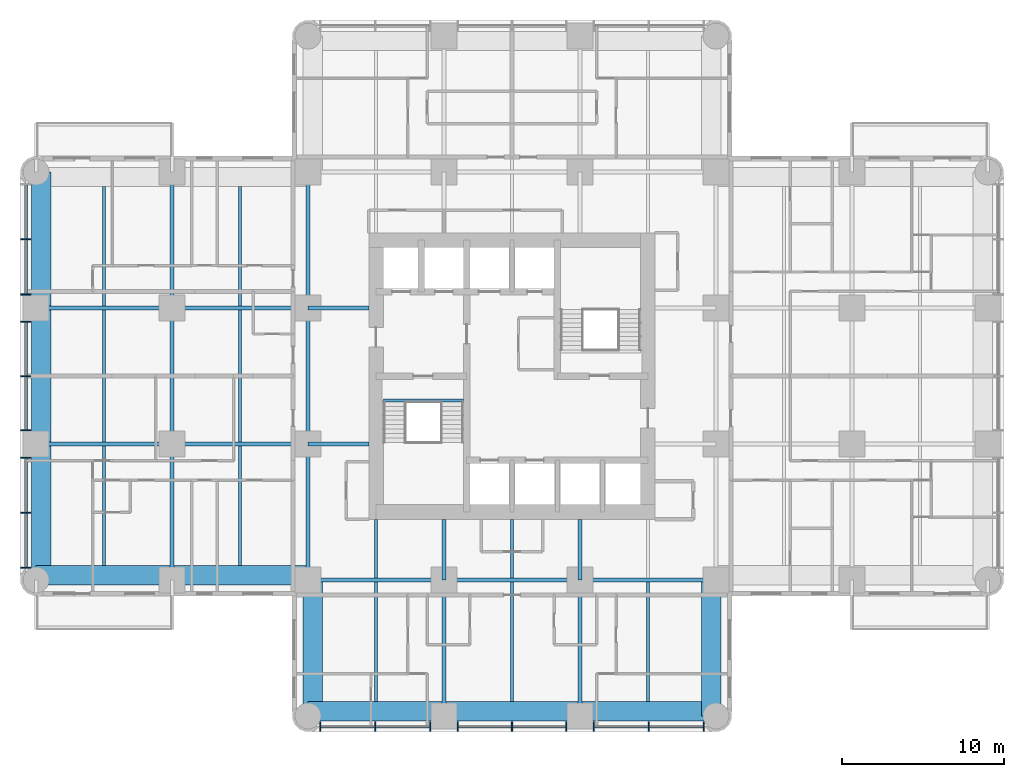
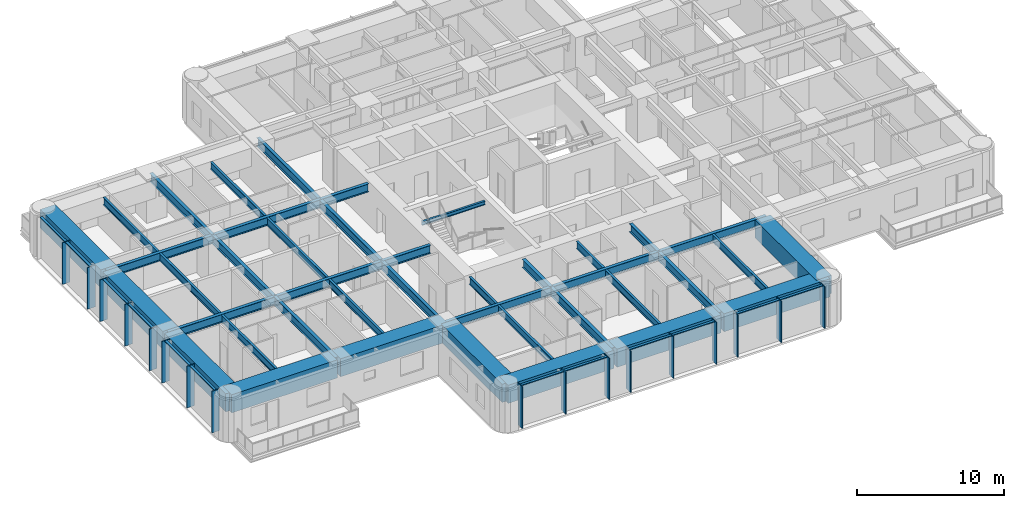
# One storey, part 2 of 15: 41 beams, 29 members, 2 elements without a shape of their own.
"""IFC4 building model written with IfcOpenShell, lengths in metres."""

from ifc_helpers import new_model, si_unit, direction, frame, origin, origin_2d, place, context, subcontext, project, spatial, rectangle, i_section, extrude, material, material_profile, profile_set, type_object, element, aggregate, save


model = new_model("IFC4")

# Units and contexts
model_context = context("Model", 3, precision=1e-05, world=origin(), true_north=direction((0.0, 1.0)))
body_context = subcontext(model_context, "Body", "Model", "MODEL_VIEW")
ifc_project = project(units=[si_unit("LENGTHUNIT", "METRE"), si_unit("AREAUNIT", "SQUARE_METRE"), si_unit("VOLUMEUNIT", "CUBIC_METRE"), si_unit("PLANEANGLEUNIT", "RADIAN"), si_unit("MASSUNIT", "GRAM", prefix="KILO")], contexts=[model_context])

# Site, building, storey
site_placement = place(None, origin())
site = spatial("IfcSite", under=ifc_project, at=site_placement, CompositionType="ELEMENT")
building_placement = place(site_placement, origin())
building = spatial("IfcBuilding", under=site, at=building_placement, Name="Torre Alcanfor", CompositionType="ELEMENT")
storey_placement = place(building_placement, frame((0.0, 0.0, 116.10009765625)))
storey = spatial("IfcBuildingStorey", under=building, at=storey_placement, Name="L29", CompositionType="ELEMENT", Elevation=116.10009765625)

# Curtain wall, members
ifc_material_1 = material(Name="Aluminium and glass", Category="aluminium")
curtain_wall_type = type_object("IfcCurtainWallType", Name="CW-A unitised apartment glazing with vertical FIN", PredefinedType="NOTDEFINED", material=ifc_material_1)
curtain_wall_1_placement = place(storey_placement, origin())
curtain_wall_1 = element("IfcCurtainWall", 1, at=curtain_wall_1_placement, inside=storey, type_object=curtain_wall_type, Name="Curtain wall CW-A L29 2", PredefinedType="NOTDEFINED")
ifc_material_2 = material(Name="Bronze anodised aluminium", Category="aluminium")
ifc_material_profile_1 = material_profile(ifc_material_2, rectangle(XDim=0.60009765625, YDim=0.06494140625, at=origin_2d()), Name="CW-A mullion 65x600")
ifc_profile_set_1 = profile_set([ifc_material_profile_1], Name="Bronze anodised aluminium")
member_type_1 = type_object("IfcMemberType", Name="CW-A mullion with vertical FIN 65x600", PredefinedType="MULLION", material=ifc_profile_set_1)
member_1_placement = place(storey_placement, frame((-0.64990234375, 37.840087890625, 0.0), z_axis=(0.0, 0.0, 1.0), x_axis=(1.0, 0.0, 0.0)))
member_1 = element("IfcMember", 2, at=member_1_placement, type_object=member_type_1, Name="CW-A mullion 1.2", PredefinedType="MULLION", context=body_context, shape_type="SweptSolid", body=[
    extrude(rectangle(XDim=0.60009765625, YDim=0.06494140625, at=origin_2d()), origin(), (0.0, 0.0, 1.0), 3.449951171875),
])
member_2_placement = place(storey_placement, frame((-0.64990234375, 34.4375, 0.0), z_axis=(0.0, 0.0, 1.0), x_axis=(1.0, 0.0, 0.0)))
member_2 = element("IfcMember", 3, at=member_2_placement, type_object=member_type_1, Name="CW-A mullion 1.3", PredefinedType="MULLION", context=body_context, shape_type="SweptSolid", body=[
    extrude(rectangle(XDim=0.60009765625, YDim=0.06494140625, at=origin_2d()), origin(), (0.0, 0.0, 1.0), 3.449951171875),
])
member_3_placement = place(storey_placement, frame((-0.64990234375, 32.762451171875, 0.0), z_axis=(0.0, 0.0, 1.0), x_axis=(1.0, 0.0, 0.0)))
member_3 = element("IfcMember", 4, at=member_3_placement, type_object=member_type_1, Name="CW-A mullion 2.1", PredefinedType="MULLION", context=body_context, shape_type="SweptSolid", body=[
    extrude(rectangle(XDim=0.60009765625, YDim=0.06494140625, at=origin_2d()), origin(), (0.0, 0.0, 1.0), 3.449951171875),
])
member_4_placement = place(storey_placement, frame((-0.64990234375, 29.39990234375, 0.0), z_axis=(0.0, 0.0, 1.0), x_axis=(1.0, 0.0, 0.0)))
member_4 = element("IfcMember", 5, at=member_4_placement, type_object=member_type_1, Name="CW-A mullion 2.2", PredefinedType="MULLION", context=body_context, shape_type="SweptSolid", body=[
    extrude(rectangle(XDim=0.60009765625, YDim=0.06494140625, at=origin_2d()), origin(), (0.0, 0.0, 1.0), 3.449951171875),
])
member_5_placement = place(storey_placement, frame((-0.64990234375, 26.03759765625, 0.0), z_axis=(0.0, 0.0, 1.0), x_axis=(1.0, 0.0, 0.0)))
member_5 = element("IfcMember", 6, at=member_5_placement, type_object=member_type_1, Name="CW-A mullion 2.3", PredefinedType="MULLION", context=body_context, shape_type="SweptSolid", body=[
    extrude(rectangle(XDim=0.60009765625, YDim=0.06494140625, at=origin_2d()), origin(), (0.0, 0.0, 1.0), 3.449951171875),
])
member_6_placement = place(storey_placement, frame((-0.64990234375, 24.362548828125, 0.0), z_axis=(0.0, 0.0, 1.0), x_axis=(1.0, 0.0, 0.0)))
member_6 = element("IfcMember", 7, at=member_6_placement, type_object=member_type_1, Name="CW-A mullion 3.1", PredefinedType="MULLION", context=body_context, shape_type="SweptSolid", body=[
    extrude(rectangle(XDim=0.60009765625, YDim=0.06494140625, at=origin_2d()), origin(), (0.0, 0.0, 1.0), 3.449951171875),
])
member_7_placement = place(storey_placement, frame((-0.64990234375, 20.9599609375, 0.0), z_axis=(0.0, 0.0, 1.0), x_axis=(1.0, 0.0, 0.0)))
member_7 = element("IfcMember", 8, at=member_7_placement, type_object=member_type_1, Name="CW-A mullion 3.2", PredefinedType="MULLION", context=body_context, shape_type="SweptSolid", body=[
    extrude(rectangle(XDim=0.60009765625, YDim=0.06494140625, at=origin_2d()), origin(), (0.0, 0.0, 1.0), 3.449951171875),
])
member_8_placement = place(storey_placement, frame((-0.64990234375, 17.557373046875, 0.0), z_axis=(0.0, 0.0, 1.0), x_axis=(1.0, 0.0, 0.0)))
member_8 = element("IfcMember", 9, at=member_8_placement, type_object=member_type_1, Name="CW-A mullion 3.3", PredefinedType="MULLION", context=body_context, shape_type="SweptSolid", body=[
    extrude(rectangle(XDim=0.60009765625, YDim=0.06494140625, at=origin_2d()), origin(), (0.0, 0.0, 1.0), 3.449951171875),
])

curtain_wall_2_placement = place(storey_placement, origin())
curtain_wall_2 = element("IfcCurtainWall", 10, at=curtain_wall_2_placement, inside=storey, type_object=curtain_wall_type, Name="Curtain wall CW-A L29 5", PredefinedType="NOTDEFINED")
member_9_placement = place(storey_placement, frame((17.557373046875, 7.75, 0.0), z_axis=(0.0, 0.0, 1.0), x_axis=(0.0, 1.0, 0.0)))
member_9 = element("IfcMember", 11, at=member_9_placement, type_object=member_type_1, Name="CW-A mullion 1.1", PredefinedType="MULLION", context=body_context, shape_type="SweptSolid", body=[
    extrude(rectangle(XDim=0.60009765625, YDim=0.06494140625, at=origin_2d()), origin(), (0.0, 0.0, 1.0), 3.449951171875),
])
member_10_placement = place(storey_placement, frame((20.9599609375, 7.75, 0.0), z_axis=(0.0, 0.0, 1.0), x_axis=(0.0, 1.0, 0.0)))
member_10 = element("IfcMember", 12, at=member_10_placement, type_object=member_type_1, Name="CW-A mullion 1.2", PredefinedType="MULLION", context=body_context, shape_type="SweptSolid", body=[
    extrude(rectangle(XDim=0.60009765625, YDim=0.06494140625, at=origin_2d()), origin(), (0.0, 0.0, 1.0), 3.449951171875),
])
member_11_placement = place(storey_placement, frame((24.362548828125, 7.75, 0.0), z_axis=(0.0, 0.0, 1.0), x_axis=(0.0, 1.0, 0.0)))
member_11 = element("IfcMember", 13, at=member_11_placement, type_object=member_type_1, Name="CW-A mullion 1.3", PredefinedType="MULLION", context=body_context, shape_type="SweptSolid", body=[
    extrude(rectangle(XDim=0.60009765625, YDim=0.06494140625, at=origin_2d()), origin(), (0.0, 0.0, 1.0), 3.449951171875),
])
member_12_placement = place(storey_placement, frame((26.03759765625, 7.75, 0.0), z_axis=(0.0, 0.0, 1.0), x_axis=(0.0, 1.0, 0.0)))
member_12 = element("IfcMember", 14, at=member_12_placement, type_object=member_type_1, Name="CW-A mullion 2.1", PredefinedType="MULLION", context=body_context, shape_type="SweptSolid", body=[
    extrude(rectangle(XDim=0.60009765625, YDim=0.06494140625, at=origin_2d()), origin(), (0.0, 0.0, 1.0), 3.449951171875),
])
member_13_placement = place(storey_placement, frame((29.39990234375, 7.75, 0.0), z_axis=(0.0, 0.0, 1.0), x_axis=(0.0, 1.0, 0.0)))
member_13 = element("IfcMember", 15, at=member_13_placement, type_object=member_type_1, Name="CW-A mullion 2.2", PredefinedType="MULLION", context=body_context, shape_type="SweptSolid", body=[
    extrude(rectangle(XDim=0.60009765625, YDim=0.06494140625, at=origin_2d()), origin(), (0.0, 0.0, 1.0), 3.449951171875),
])
member_14_placement = place(storey_placement, frame((32.762451171875, 7.75, 0.0), z_axis=(0.0, 0.0, 1.0), x_axis=(0.0, 1.0, 0.0)))
member_14 = element("IfcMember", 16, at=member_14_placement, type_object=member_type_1, Name="CW-A mullion 2.3", PredefinedType="MULLION", context=body_context, shape_type="SweptSolid", body=[
    extrude(rectangle(XDim=0.60009765625, YDim=0.06494140625, at=origin_2d()), origin(), (0.0, 0.0, 1.0), 3.449951171875),
])
member_15_placement = place(storey_placement, frame((34.4375, 7.75, 0.0), z_axis=(0.0, 0.0, 1.0), x_axis=(0.0, 1.0, 0.0)))
member_15 = element("IfcMember", 17, at=member_15_placement, type_object=member_type_1, Name="CW-A mullion 3.1", PredefinedType="MULLION", context=body_context, shape_type="SweptSolid", body=[
    extrude(rectangle(XDim=0.60009765625, YDim=0.06494140625, at=origin_2d()), origin(), (0.0, 0.0, 1.0), 3.449951171875),
])
member_16_placement = place(storey_placement, frame((37.840087890625, 7.75, 0.0), z_axis=(0.0, 0.0, 1.0), x_axis=(0.0, 1.0, 0.0)))
member_16 = element("IfcMember", 18, at=member_16_placement, type_object=member_type_1, Name="CW-A mullion 3.2", PredefinedType="MULLION", context=body_context, shape_type="SweptSolid", body=[
    extrude(rectangle(XDim=0.60009765625, YDim=0.06494140625, at=origin_2d()), origin(), (0.0, 0.0, 1.0), 3.449951171875),
])
member_17_placement = place(storey_placement, frame((41.24267578125, 7.75, 0.0), z_axis=(0.0, 0.0, 1.0), x_axis=(0.0, 1.0, 0.0)))
member_17 = element("IfcMember", 19, at=member_17_placement, type_object=member_type_1, Name="CW-A mullion 3.3", PredefinedType="MULLION", context=body_context, shape_type="SweptSolid", body=[
    extrude(rectangle(XDim=0.60009765625, YDim=0.06494140625, at=origin_2d()), origin(), (0.0, 0.0, 1.0), 3.449951171875),
])

# Member
ifc_material_3 = material(Name="Extruded aluminium", Category="aluminium")
ifc_material_profile_2 = material_profile(ifc_material_3, rectangle(XDim=0.199951171875, YDim=0.06494140625, at=origin_2d()), Name="CW-A transom 200x65")
ifc_profile_set_2 = profile_set([ifc_material_profile_2], Name="Extruded aluminium")
member_type_2 = type_object("IfcMemberType", Name="CW-A transom 65x200", PredefinedType="USERDEFINED", material=ifc_profile_set_2)
member_18_placement = place(storey_placement, frame((-0.64990234375, 41.210205078125, 3.41748046875), z_axis=(0.0, -1.0, 0.0), x_axis=(1.0, 0.0, 0.0)))
member_18 = element("IfcMember", 20, at=member_18_placement, type_object=member_type_2, Name="CW-A transom 1.1.2", ObjectType="TRANSOM", PredefinedType="USERDEFINED", context=body_context, shape_type="SweptSolid", body=[
    extrude(rectangle(XDim=0.199951171875, YDim=0.06494140625, at=origin_2d()), origin(), (0.0, 0.0, 1.0), 3.337646484375),
])

member_19_placement = place(storey_placement, frame((-0.64990234375, 37.8076171875, 3.41748046875), z_axis=(0.0, -1.0, 0.0), x_axis=(1.0, 0.0, 0.0)))
member_19 = element("IfcMember", 21, at=member_19_placement, type_object=member_type_2, Name="CW-A transom 1.2.2", ObjectType="TRANSOM", PredefinedType="USERDEFINED", context=body_context, shape_type="SweptSolid", body=[
    extrude(rectangle(XDim=0.199951171875, YDim=0.06494140625, at=origin_2d()), origin(), (0.0, 0.0, 1.0), 3.337646484375),
])

member_20_placement = place(storey_placement, frame((-0.64990234375, 32.72998046875, 3.41748046875), z_axis=(0.0, -1.0, 0.0), x_axis=(1.0, 0.0, 0.0)))
member_20 = element("IfcMember", 22, at=member_20_placement, type_object=member_type_2, Name="CW-A transom 2.1.2", ObjectType="TRANSOM", PredefinedType="USERDEFINED", context=body_context, shape_type="SweptSolid", body=[
    extrude(rectangle(XDim=0.199951171875, YDim=0.06494140625, at=origin_2d()), origin(), (0.0, 0.0, 1.0), 3.29736328125),
])

member_21_placement = place(storey_placement, frame((-0.64990234375, 29.367431640625, 3.41748046875), z_axis=(0.0, -1.0, 0.0), x_axis=(1.0, 0.0, 0.0)))
member_21 = element("IfcMember", 23, at=member_21_placement, type_object=member_type_2, Name="CW-A transom 2.2.2", ObjectType="TRANSOM", PredefinedType="USERDEFINED", context=body_context, shape_type="SweptSolid", body=[
    extrude(rectangle(XDim=0.199951171875, YDim=0.06494140625, at=origin_2d()), origin(), (0.0, 0.0, 1.0), 3.29736328125),
])

member_22_placement = place(storey_placement, frame((-0.64990234375, 24.330078125, 3.41748046875), z_axis=(0.0, -1.0, 0.0), x_axis=(1.0, 0.0, 0.0)))
member_22 = element("IfcMember", 24, at=member_22_placement, type_object=member_type_2, Name="CW-A transom 3.1.2", ObjectType="TRANSOM", PredefinedType="USERDEFINED", context=body_context, shape_type="SweptSolid", body=[
    extrude(rectangle(XDim=0.199951171875, YDim=0.06494140625, at=origin_2d()), origin(), (0.0, 0.0, 1.0), 3.337646484375),
])

member_23_placement = place(storey_placement, frame((-0.64990234375, 20.927490234375, 3.41748046875), z_axis=(0.0, -1.0, 0.0), x_axis=(1.0, 0.0, 0.0)))
member_23 = element("IfcMember", 25, at=member_23_placement, type_object=member_type_2, Name="CW-A transom 3.2.2", ObjectType="TRANSOM", PredefinedType="USERDEFINED", context=body_context, shape_type="SweptSolid", body=[
    extrude(rectangle(XDim=0.199951171875, YDim=0.06494140625, at=origin_2d()), origin(), (0.0, 0.0, 1.0), 3.337646484375),
])

aggregate(curtain_wall_1, [member_1, member_2, member_18, member_19, member_3, member_4, member_5, member_20, member_21, member_6, member_7, member_8, member_22, member_23])

member_24_placement = place(storey_placement, frame((17.58984375, 7.75, 3.41748046875), z_axis=(1.0, 0.0, 0.0), x_axis=(0.0, 1.0, 0.0)))
member_24 = element("IfcMember", 26, at=member_24_placement, type_object=member_type_2, Name="CW-A transom 1.1.2", ObjectType="TRANSOM", PredefinedType="USERDEFINED", context=body_context, shape_type="SweptSolid", body=[
    extrude(rectangle(XDim=0.199951171875, YDim=0.06494140625, at=origin_2d()), origin(), (0.0, 0.0, 1.0), 3.337646484375),
])

member_25_placement = place(storey_placement, frame((20.992431640625, 7.75, 3.41748046875), z_axis=(1.0, 0.0, 0.0), x_axis=(0.0, 1.0, 0.0)))
member_25 = element("IfcMember", 27, at=member_25_placement, type_object=member_type_2, Name="CW-A transom 1.2.2", ObjectType="TRANSOM", PredefinedType="USERDEFINED", context=body_context, shape_type="SweptSolid", body=[
    extrude(rectangle(XDim=0.199951171875, YDim=0.06494140625, at=origin_2d()), origin(), (0.0, 0.0, 1.0), 3.337646484375),
])

member_26_placement = place(storey_placement, frame((26.070068359375, 7.75, 3.41748046875), z_axis=(1.0, 0.0, 0.0), x_axis=(0.0, 1.0, 0.0)))
member_26 = element("IfcMember", 28, at=member_26_placement, type_object=member_type_2, Name="CW-A transom 2.1.2", ObjectType="TRANSOM", PredefinedType="USERDEFINED", context=body_context, shape_type="SweptSolid", body=[
    extrude(rectangle(XDim=0.199951171875, YDim=0.06494140625, at=origin_2d()), origin(), (0.0, 0.0, 1.0), 3.29736328125),
])

member_27_placement = place(storey_placement, frame((29.4326171875, 7.75, 3.41748046875), z_axis=(1.0, 0.0, 0.0), x_axis=(0.0, 1.0, 0.0)))
member_27 = element("IfcMember", 29, at=member_27_placement, type_object=member_type_2, Name="CW-A transom 2.2.2", ObjectType="TRANSOM", PredefinedType="USERDEFINED", context=body_context, shape_type="SweptSolid", body=[
    extrude(rectangle(XDim=0.199951171875, YDim=0.06494140625, at=origin_2d()), origin(), (0.0, 0.0, 1.0), 3.29736328125),
])

member_28_placement = place(storey_placement, frame((34.469970703125, 7.75, 3.41748046875), z_axis=(1.0, 0.0, 0.0), x_axis=(0.0, 1.0, 0.0)))
member_28 = element("IfcMember", 30, at=member_28_placement, type_object=member_type_2, Name="CW-A transom 3.1.2", ObjectType="TRANSOM", PredefinedType="USERDEFINED", context=body_context, shape_type="SweptSolid", body=[
    extrude(rectangle(XDim=0.199951171875, YDim=0.06494140625, at=origin_2d()), origin(), (0.0, 0.0, 1.0), 3.337646484375),
])

member_29_placement = place(storey_placement, frame((37.87255859375, 7.75, 3.41748046875), z_axis=(1.0, 0.0, 0.0), x_axis=(0.0, 1.0, 0.0)))
member_29 = element("IfcMember", 31, at=member_29_placement, type_object=member_type_2, Name="CW-A transom 3.2.2", ObjectType="TRANSOM", PredefinedType="USERDEFINED", context=body_context, shape_type="SweptSolid", body=[
    extrude(rectangle(XDim=0.199951171875, YDim=0.06494140625, at=origin_2d()), origin(), (0.0, 0.0, 1.0), 3.337646484375),
])

aggregate(curtain_wall_2, [member_9, member_10, member_11, member_24, member_25, member_12, member_13, member_14, member_26, member_27, member_15, member_16, member_17, member_28, member_29])

# Beams
ifc_material_4 = material(Name="Steel ASTM A992 Grade 50", Category="steel")
ifc_material_profile_3 = material_profile(ifc_material_4, i_section(OverallWidth=0.25390625, OverallDepth=0.683349609375, WebThickness=0.012451171875, FlangeThickness=0.01904296875, at=origin_2d()), Name="W27x94")
ifc_profile_set_3 = profile_set([ifc_material_profile_3], Name="Steel ASTM A992 Grade 50")
beam_type_1 = type_object("IfcBeamType", Name="Girder W27x94", PredefinedType="BEAM", material=ifc_profile_set_3)
beam_1_placement = place(storey_placement, frame((16.800048828125, 16.800048828125, 3.108154296875), z_axis=(1.0, 0.0, 0.0), x_axis=(0.0, 1.0, 0.0)))
element("IfcBeam", 32, at=beam_1_placement, inside=storey, type_object=beam_type_1, Name="Beam 3E-4E under L30", PredefinedType="BEAM", context=body_context, shape_type="SweptSolid", body=[
    extrude(i_section(OverallWidth=0.25390625, OverallDepth=0.683349609375, WebThickness=0.012451171875, FlangeThickness=0.01904296875, at=origin_2d()), origin(), (0.0, 0.0, 1.0), 8.39990234375),
])
beam_2_placement = place(storey_placement, frame((25.199951171875, 16.800048828125, 3.108154296875), z_axis=(1.0, 0.0, 0.0), x_axis=(0.0, 1.0, 0.0)))
element("IfcBeam", 33, at=beam_2_placement, inside=storey, type_object=beam_type_1, Name="Beam 4E-5E under L30", PredefinedType="BEAM", context=body_context, shape_type="SweptSolid", body=[
    extrude(i_section(OverallWidth=0.25390625, OverallDepth=0.683349609375, WebThickness=0.012451171875, FlangeThickness=0.01904296875, at=origin_2d()), origin(), (0.0, 0.0, 1.0), 8.400146484375),
])
for number, where, z_axis, x_axis, name in (
    (34, (33.60009765625, 16.800048828125, 3.108154296875), (1.0, 0.0, 0.0), (0.0, 1.0, 0.0), "Beam 5E-6E under L30"),
    (35, (0.0, 25.199951171875, 3.108154296875), (1.0, 0.0, 0.0), (0.0, 1.0, 0.0), "Beam 1F-2F under L30"),
):
    element("IfcBeam", number, at=place(storey_placement, frame(where, z_axis=z_axis, x_axis=x_axis)), inside=storey, type_object=beam_type_1, Name=name, PredefinedType="BEAM", context=body_context, shape_type="SweptSolid", body=[
        extrude(i_section(OverallWidth=0.25390625, OverallDepth=0.683349609375, WebThickness=0.012451171875, FlangeThickness=0.01904296875, at=origin_2d()), origin(), (0.0, 0.0, 1.0), 8.39990234375),
    ])
beam_3_placement = place(storey_placement, frame((8.39990234375, 25.199951171875, 3.108154296875), z_axis=(1.0, 0.0, 0.0), x_axis=(0.0, 1.0, 0.0)))
element("IfcBeam", 36, at=beam_3_placement, inside=storey, type_object=beam_type_1, Name="Beam 2F-3F under L30", PredefinedType="BEAM", context=body_context, shape_type="SweptSolid", body=[
    extrude(i_section(OverallWidth=0.25390625, OverallDepth=0.683349609375, WebThickness=0.012451171875, FlangeThickness=0.01904296875, at=origin_2d()), origin(), (0.0, 0.0, 1.0), 8.400146484375),
])
beam_4_placement = place(storey_placement, frame((0.0, 33.60009765625, 3.108154296875), z_axis=(1.0, 0.0, 0.0), x_axis=(0.0, 1.0, 0.0)))
element("IfcBeam", 37, at=beam_4_placement, inside=storey, type_object=beam_type_1, Name="Beam 1G-2G under L30", PredefinedType="BEAM", context=body_context, shape_type="SweptSolid", body=[
    extrude(i_section(OverallWidth=0.25390625, OverallDepth=0.683349609375, WebThickness=0.012451171875, FlangeThickness=0.01904296875, at=origin_2d()), origin(), (0.0, 0.0, 1.0), 8.39990234375),
])
beam_5_placement = place(storey_placement, frame((8.39990234375, 33.60009765625, 3.108154296875), z_axis=(1.0, 0.0, 0.0), x_axis=(0.0, 1.0, 0.0)))
element("IfcBeam", 38, at=beam_5_placement, inside=storey, type_object=beam_type_1, Name="Beam 2G-3G under L30", PredefinedType="BEAM", context=body_context, shape_type="SweptSolid", body=[
    extrude(i_section(OverallWidth=0.25390625, OverallDepth=0.683349609375, WebThickness=0.012451171875, FlangeThickness=0.01904296875, at=origin_2d()), origin(), (0.0, 0.0, 1.0), 8.400146484375),
])
beam_6_placement = place(storey_placement, frame((8.39990234375, 16.800048828125, 3.108154296875), z_axis=(0.0, 1.0, 0.0), x_axis=(-1.0, 0.0, 0.0)))
element("IfcBeam", 39, at=beam_6_placement, inside=storey, type_object=beam_type_1, Name="Beam 2E-2F under L30", PredefinedType="BEAM", context=body_context, shape_type="SweptSolid", body=[
    extrude(i_section(OverallWidth=0.25390625, OverallDepth=0.683349609375, WebThickness=0.012451171875, FlangeThickness=0.01904296875, at=origin_2d()), origin(), (0.0, 0.0, 1.0), 8.39990234375),
])
beam_7_placement = place(storey_placement, frame((8.39990234375, 25.199951171875, 3.108154296875), z_axis=(0.0, 1.0, 0.0), x_axis=(-1.0, 0.0, 0.0)))
element("IfcBeam", 40, at=beam_7_placement, inside=storey, type_object=beam_type_1, Name="Beam 2F-2G under L30", PredefinedType="BEAM", context=body_context, shape_type="SweptSolid", body=[
    extrude(i_section(OverallWidth=0.25390625, OverallDepth=0.683349609375, WebThickness=0.012451171875, FlangeThickness=0.01904296875, at=origin_2d()), origin(), (0.0, 0.0, 1.0), 8.400146484375),
])
for number, where, z_axis, x_axis, name in (
    (41, (8.39990234375, 33.60009765625, 3.108154296875), (0.0, 1.0, 0.0), (-1.0, 0.0, 0.0), "Beam 2G-2H under L30"),
    (42, (16.800048828125, 16.800048828125, 3.108154296875), (0.0, 1.0, 0.0), (-1.0, 0.0, 0.0), "Beam 3E-3F under L30"),
):
    element("IfcBeam", number, at=place(storey_placement, frame(where, z_axis=z_axis, x_axis=x_axis)), inside=storey, type_object=beam_type_1, Name=name, PredefinedType="BEAM", context=body_context, shape_type="SweptSolid", body=[
        extrude(i_section(OverallWidth=0.25390625, OverallDepth=0.683349609375, WebThickness=0.012451171875, FlangeThickness=0.01904296875, at=origin_2d()), origin(), (0.0, 0.0, 1.0), 8.39990234375),
    ])
beam_8_placement = place(storey_placement, frame((16.800048828125, 25.199951171875, 3.108154296875), z_axis=(0.0, 1.0, 0.0), x_axis=(-1.0, 0.0, 0.0)))
element("IfcBeam", 43, at=beam_8_placement, inside=storey, type_object=beam_type_1, Name="Beam 3F-3G under L30", PredefinedType="BEAM", context=body_context, shape_type="SweptSolid", body=[
    extrude(i_section(OverallWidth=0.25390625, OverallDepth=0.683349609375, WebThickness=0.012451171875, FlangeThickness=0.01904296875, at=origin_2d()), origin(), (0.0, 0.0, 1.0), 8.400146484375),
])
beam_9_placement = place(storey_placement, frame((16.800048828125, 33.60009765625, 3.108154296875), z_axis=(0.0, 1.0, 0.0), x_axis=(-1.0, 0.0, 0.0)))
element("IfcBeam", 44, at=beam_9_placement, inside=storey, type_object=beam_type_1, Name="Beam 3G-3H under L30", PredefinedType="BEAM", context=body_context, shape_type="SweptSolid", body=[
    extrude(i_section(OverallWidth=0.25390625, OverallDepth=0.683349609375, WebThickness=0.012451171875, FlangeThickness=0.01904296875, at=origin_2d()), origin(), (0.0, 0.0, 1.0), 8.39990234375),
])
for number, where, z_axis, x_axis, name in (
    (45, (25.199951171875, 8.39990234375, 3.108154296875), (0.0, 1.0, 0.0), (-1.0, 0.0, 0.0), "Beam 4D-4E under L30"),
    (46, (33.60009765625, 8.39990234375, 3.108154296875), (0.0, 1.0, 0.0), (-1.0, 0.0, 0.0), "Beam 5D-5E under L30"),
):
    element("IfcBeam", number, at=place(storey_placement, frame(where, z_axis=z_axis, x_axis=x_axis)), inside=storey, type_object=beam_type_1, Name=name, PredefinedType="BEAM", context=body_context, shape_type="SweptSolid", body=[
        extrude(i_section(OverallWidth=0.25390625, OverallDepth=0.683349609375, WebThickness=0.012451171875, FlangeThickness=0.01904296875, at=origin_2d()), origin(), (0.0, 0.0, 1.0), 8.400146484375),
    ])
ifc_material_5 = material(Name="Steel ASTM A992 Grade 50", Category="steel")
ifc_material_profile_4 = material_profile(ifc_material_5, i_section(OverallWidth=0.25390625, OverallDepth=0.683349609375, WebThickness=0.012451171875, FlangeThickness=0.01904296875, at=origin_2d()), Name="W27x94")
ifc_profile_set_4 = profile_set([ifc_material_profile_4], Name="Steel ASTM A992 Grade 50")
beam_type_2 = type_object("IfcBeamType", Name="Girder, part bay W27x94", PredefinedType="BEAM", material=ifc_profile_set_4)
for number, where, z_axis, x_axis, name in (
    (47, (25.199951171875, 16.800048828125, 3.108154296875), (0.0, 1.0, 0.0), (-1.0, 0.0, 0.0), "Beam 4E-420_55 under L30"),
    (48, (33.60009765625, 16.800048828125, 3.108154296875), (0.0, 1.0, 0.0), (-1.0, 0.0, 0.0), "Beam 5E-520_55 under L30"),
    (49, (16.800048828125, 25.199951171875, 3.108154296875), (1.0, 0.0, 0.0), (0.0, 1.0, 0.0), "Beam 3F-20_55F under L30"),
    (50, (16.800048828125, 33.60009765625, 3.108154296875), (1.0, 0.0, 0.0), (0.0, 1.0, 0.0), "Beam 3G-20_55G under L30"),
):
    element("IfcBeam", number, at=place(storey_placement, frame(where, z_axis=z_axis, x_axis=x_axis)), inside=storey, type_object=beam_type_2, Name=name, PredefinedType="BEAM", context=body_context, shape_type="SweptSolid", body=[
        extrude(i_section(OverallWidth=0.25390625, OverallDepth=0.683349609375, WebThickness=0.012451171875, FlangeThickness=0.01904296875, at=origin_2d()), origin(), (0.0, 0.0, 1.0), 3.75),
    ])
ifc_material_6 = material(Name="Concrete f'c 70 MPa", Category="concrete")
ifc_material_profile_5 = material_profile(ifc_material_6, rectangle(XDim=1.199951171875, YDim=1.5, at=origin_2d()), Name="1200x1500")
ifc_profile_set_5 = profile_set([ifc_material_profile_5], Name="Concrete f'c 70 MPa")
beam_type_3 = type_object("IfcBeamType", Name="RC perimeter beam 1200x1500", PredefinedType="BEAM", material=ifc_profile_set_5)
beam_10_placement = place(storey_placement, frame((16.800048828125, 8.699951171875, 2.699951171875), z_axis=(1.0, 0.0, 0.0), x_axis=(0.0, 1.0, 0.0)))
element("IfcBeam", 51, at=beam_10_placement, inside=storey, type_object=beam_type_3, Name="Beam 3D-4D under L30", PredefinedType="BEAM", context=body_context, shape_type="SweptSolid", body=[
    extrude(rectangle(XDim=1.199951171875, YDim=1.5, at=origin_2d()), origin(), (0.0, 0.0, 1.0), 8.27294921875),
])
beam_11_placement = place(storey_placement, frame((25.326904296875, 8.699951171875, 2.699951171875), z_axis=(1.0, 0.0, 0.0), x_axis=(0.0, 1.0, 0.0)))
element("IfcBeam", 52, at=beam_11_placement, inside=storey, type_object=beam_type_3, Name="Beam 4D-5D under L30", PredefinedType="BEAM", context=body_context, shape_type="SweptSolid", body=[
    extrude(rectangle(XDim=1.199951171875, YDim=1.5, at=origin_2d()), origin(), (0.0, 0.0, 1.0), 8.14599609375),
])
for number, where, z_axis, x_axis, name in (
    (53, (33.72705078125, 8.699951171875, 2.699951171875), (1.0, 0.0, 0.0), (0.0, 1.0, 0.0), "Beam 5D-6D under L30"),
    (54, (0.0, 17.10009765625, 2.699951171875), (1.0, 0.0, 0.0), (0.0, 1.0, 0.0), "Beam 1E-2E under L30"),
):
    element("IfcBeam", number, at=place(storey_placement, frame(where, z_axis=z_axis, x_axis=x_axis)), inside=storey, type_object=beam_type_3, Name=name, PredefinedType="BEAM", context=body_context, shape_type="SweptSolid", body=[
        extrude(rectangle(XDim=1.199951171875, YDim=1.5, at=origin_2d()), origin(), (0.0, 0.0, 1.0), 8.27294921875),
    ])
beam_12_placement = place(storey_placement, frame((8.527099609375, 17.10009765625, 2.699951171875), z_axis=(1.0, 0.0, 0.0), x_axis=(0.0, 1.0, 0.0)))
element("IfcBeam", 55, at=beam_12_placement, inside=storey, type_object=beam_type_3, Name="Beam 2E-3E under L30", PredefinedType="BEAM", context=body_context, shape_type="SweptSolid", body=[
    extrude(rectangle(XDim=1.199951171875, YDim=1.5, at=origin_2d()), origin(), (0.0, 0.0, 1.0), 8.39990234375),
])
beam_13_placement = place(storey_placement, frame((0.300048828125, 16.800048828125, 2.699951171875), z_axis=(0.0, 1.0, 0.0), x_axis=(-1.0, 0.0, 0.0)))
element("IfcBeam", 56, at=beam_13_placement, inside=storey, type_object=beam_type_3, Name="Beam 1E-1F under L30", PredefinedType="BEAM", context=body_context, shape_type="SweptSolid", body=[
    extrude(rectangle(XDim=1.199951171875, YDim=1.5, at=origin_2d()), origin(), (0.0, 0.0, 1.0), 8.27294921875),
])
beam_14_placement = place(storey_placement, frame((0.300048828125, 25.326904296875, 2.699951171875), z_axis=(0.0, 1.0, 0.0), x_axis=(-1.0, 0.0, 0.0)))
element("IfcBeam", 57, at=beam_14_placement, inside=storey, type_object=beam_type_3, Name="Beam 1F-1G under L30", PredefinedType="BEAM", context=body_context, shape_type="SweptSolid", body=[
    extrude(rectangle(XDim=1.199951171875, YDim=1.5, at=origin_2d()), origin(), (0.0, 0.0, 1.0), 8.14599609375),
])
beam_15_placement = place(storey_placement, frame((0.300048828125, 33.72705078125, 2.699951171875), z_axis=(0.0, 1.0, 0.0), x_axis=(-1.0, 0.0, 0.0)))
element("IfcBeam", 58, at=beam_15_placement, inside=storey, type_object=beam_type_3, Name="Beam 1G-1H under L30", PredefinedType="BEAM", context=body_context, shape_type="SweptSolid", body=[
    extrude(rectangle(XDim=1.199951171875, YDim=1.5, at=origin_2d()), origin(), (0.0, 0.0, 1.0), 8.27294921875),
])
for number, where, z_axis, x_axis, name in (
    (59, (17.10009765625, 8.39990234375, 2.699951171875), (0.0, 1.0, 0.0), (-1.0, 0.0, 0.0), "Beam 3D-3E under L30"),
    (60, (41.699951171875, 8.39990234375, 2.699951171875), (0.0, 1.0, 0.0), (-1.0, 0.0, 0.0), "Beam 6D-6E under L30"),
):
    element("IfcBeam", number, at=place(storey_placement, frame(where, z_axis=z_axis, x_axis=x_axis)), inside=storey, type_object=beam_type_3, Name=name, PredefinedType="BEAM", context=body_context, shape_type="SweptSolid", body=[
        extrude(rectangle(XDim=1.199951171875, YDim=1.5, at=origin_2d()), origin(), (0.0, 0.0, 1.0), 8.273193359375),
    ])
ifc_material_7 = material(Name="Steel ASTM A992 Grade 50", Category="steel")
ifc_material_profile_6 = material_profile(ifc_material_7, i_section(OverallWidth=0.1787109375, OverallDepth=0.60205078125, WebThickness=0.010986328125, FlangeThickness=0.014892578125, at=origin_2d()), Name="W24x62")
ifc_profile_set_6 = profile_set([ifc_material_profile_6], Name="Steel ASTM A992 Grade 50")
beam_type_4 = type_object("IfcBeamType", Name="Secondary beam W24x62", PredefinedType="BEAM", material=ifc_profile_set_6)
beam_16_placement = place(storey_placement, frame((4.199951171875, 17.699951171875, 3.14892578125), z_axis=(0.0, 1.0, 0.0), x_axis=(-1.0, 0.0, 0.0)))
element("IfcBeam", 61, at=beam_16_placement, inside=storey, type_object=beam_type_4, Name="Beam 4_2E-4_2F under L30", PredefinedType="BEAM", context=body_context, shape_type="SweptSolid", body=[
    extrude(i_section(OverallWidth=0.1787109375, OverallDepth=0.60205078125, WebThickness=0.010986328125, FlangeThickness=0.014892578125, at=origin_2d()), origin(), (0.0, 0.0, 1.0), 7.373046875),
])
beam_17_placement = place(storey_placement, frame((4.199951171875, 25.326904296875, 3.14892578125), z_axis=(0.0, 1.0, 0.0), x_axis=(-1.0, 0.0, 0.0)))
element("IfcBeam", 62, at=beam_17_placement, inside=storey, type_object=beam_type_4, Name="Beam 4_2F-4_2G under L30", PredefinedType="BEAM", context=body_context, shape_type="SweptSolid", body=[
    extrude(i_section(OverallWidth=0.1787109375, OverallDepth=0.60205078125, WebThickness=0.010986328125, FlangeThickness=0.014892578125, at=origin_2d()), origin(), (0.0, 0.0, 1.0), 8.14599609375),
])
for number, where, z_axis, x_axis, name in (
    (63, (4.199951171875, 33.72705078125, 3.14892578125), (0.0, 1.0, 0.0), (-1.0, 0.0, 0.0), "Beam 4_2G-4_2H under L30"),
    (64, (12.60009765625, 17.699951171875, 3.14892578125), (0.0, 1.0, 0.0), (-1.0, 0.0, 0.0), "Beam 12_6E-12_6F under L30"),
):
    element("IfcBeam", number, at=place(storey_placement, frame(where, z_axis=z_axis, x_axis=x_axis)), inside=storey, type_object=beam_type_4, Name=name, PredefinedType="BEAM", context=body_context, shape_type="SweptSolid", body=[
        extrude(i_section(OverallWidth=0.1787109375, OverallDepth=0.60205078125, WebThickness=0.010986328125, FlangeThickness=0.014892578125, at=origin_2d()), origin(), (0.0, 0.0, 1.0), 7.373046875),
    ])
beam_18_placement = place(storey_placement, frame((12.60009765625, 25.326904296875, 3.14892578125), z_axis=(0.0, 1.0, 0.0), x_axis=(-1.0, 0.0, 0.0)))
element("IfcBeam", 65, at=beam_18_placement, inside=storey, type_object=beam_type_4, Name="Beam 12_6F-12_6G under L30", PredefinedType="BEAM", context=body_context, shape_type="SweptSolid", body=[
    extrude(i_section(OverallWidth=0.1787109375, OverallDepth=0.60205078125, WebThickness=0.010986328125, FlangeThickness=0.014892578125, at=origin_2d()), origin(), (0.0, 0.0, 1.0), 8.14599609375),
])
for number, where, z_axis, x_axis, name in (
    (66, (12.60009765625, 33.72705078125, 3.14892578125), (0.0, 1.0, 0.0), (-1.0, 0.0, 0.0), "Beam 12_6G-12_6H under L30"),
    (67, (21.0, 9.300048828125, 3.14892578125), (0.0, 1.0, 0.0), (-1.0, 0.0, 0.0), "Beam 21D-21E under L30"),
    (68, (29.39990234375, 9.300048828125, 3.14892578125), (0.0, 1.0, 0.0), (-1.0, 0.0, 0.0), "Beam 29_4D-29_4E under L30"),
    (69, (37.800048828125, 9.300048828125, 3.14892578125), (0.0, 1.0, 0.0), (-1.0, 0.0, 0.0), "Beam 37_8D-37_8E under L30"),
):
    element("IfcBeam", number, at=place(storey_placement, frame(where, z_axis=z_axis, x_axis=x_axis)), inside=storey, type_object=beam_type_4, Name=name, PredefinedType="BEAM", context=body_context, shape_type="SweptSolid", body=[
        extrude(i_section(OverallWidth=0.1787109375, OverallDepth=0.60205078125, WebThickness=0.010986328125, FlangeThickness=0.014892578125, at=origin_2d()), origin(), (0.0, 0.0, 1.0), 7.373046875),
    ])
ifc_material_8 = material(Name="Steel ASTM A992 Grade 50", Category="steel")
ifc_material_profile_7 = material_profile(ifc_material_8, i_section(OverallWidth=0.1787109375, OverallDepth=0.60205078125, WebThickness=0.010986328125, FlangeThickness=0.014892578125, at=origin_2d()), Name="W24x62")
ifc_profile_set_7 = profile_set([ifc_material_profile_7], Name="Steel ASTM A992 Grade 50")
beam_type_5 = type_object("IfcBeamType", Name="Secondary beam, part bay W24x62", PredefinedType="BEAM", material=ifc_profile_set_7)
for number, where, z_axis, x_axis, name in (
    (70, (21.0, 16.927001953125, 3.14892578125), (0.0, 1.0, 0.0), (-1.0, 0.0, 0.0), "Beam 21E-2120_55 under L30"),
    (71, (29.39990234375, 16.927001953125, 3.14892578125), (0.0, 1.0, 0.0), (-1.0, 0.0, 0.0), "Beam 29_4E-29_420_55 under L30"),
):
    element("IfcBeam", number, at=place(storey_placement, frame(where, z_axis=z_axis, x_axis=x_axis)), inside=storey, type_object=beam_type_5, Name=name, PredefinedType="BEAM", context=body_context, shape_type="SweptSolid", body=[
        extrude(i_section(OverallWidth=0.1787109375, OverallDepth=0.60205078125, WebThickness=0.010986328125, FlangeThickness=0.014892578125, at=origin_2d()), origin(), (0.0, 0.0, 1.0), 3.623046875),
    ])
ifc_material_9 = material(Name="Steel ASTM A992 Grade 50", Category="steel")
ifc_material_profile_8 = material_profile(ifc_material_9, i_section(OverallWidth=0.164794921875, OverallDepth=0.309814453125, WebThickness=0.005859375, FlangeThickness=0.009765625, at=origin_2d()), Name="W12x26")
ifc_profile_set_8 = profile_set([ifc_material_profile_8], Name="Steel ASTM A992 Grade 50")
beam_type_6 = type_object("IfcBeamType", Name="Stair landing beam W12x26", PredefinedType="BEAM", material=ifc_profile_set_8)
beam_19_placement = place(storey_placement, frame((21.449951171875, 27.887451171875, 3.244873046875), z_axis=(1.0, 0.0, 0.0), x_axis=(0.0, 1.0, 0.0)))
element("IfcBeam", 72, at=beam_19_placement, inside=storey, type_object=beam_type_6, Name="Landing trimmer S1 L30", PredefinedType="BEAM", context=body_context, shape_type="SweptSolid", body=[
    extrude(i_section(OverallWidth=0.164794921875, OverallDepth=0.309814453125, WebThickness=0.005859375, FlangeThickness=0.009765625, at=origin_2d()), origin(), (0.0, 0.0, 1.0), 4.949951171875),
])

save(model, "model.ifc")
